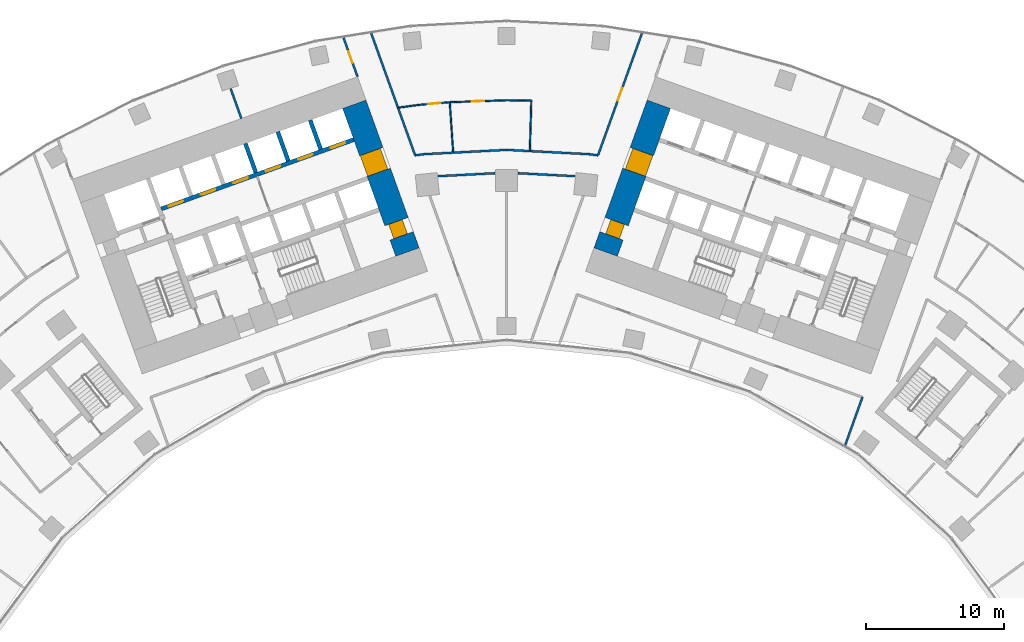
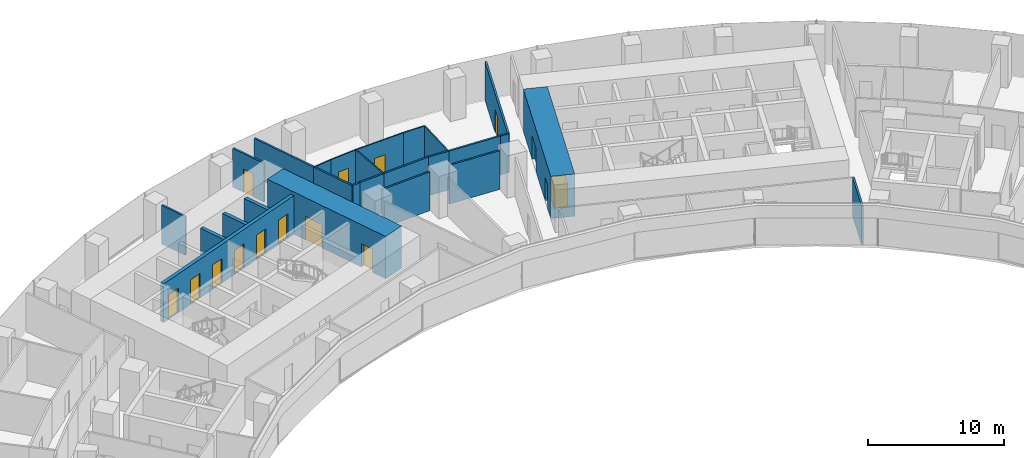
# One storey, part 16 of 21: 26 walls, 14 doors, 14 openings.
"""IFC4 building model written with IfcOpenShell, lengths in metres."""

from ifc_helpers import new_model, si_unit, direction, frame, frame_2d, origin, place, context, subcontext, project, spatial, rectangle, extrude, material, layer, layer_set, type_object, element, fill, save


model = new_model("IFC4")

# Units and contexts
model_context = context("Model", 3, precision=1e-05, world=origin(), true_north=direction((0.0, 1.0)))
body_context = subcontext(model_context, "Body", "Model", "MODEL_VIEW")
ifc_project = project(units=[si_unit("LENGTHUNIT", "METRE"), si_unit("AREAUNIT", "SQUARE_METRE"), si_unit("VOLUMEUNIT", "CUBIC_METRE"), si_unit("PLANEANGLEUNIT", "RADIAN"), si_unit("MASSUNIT", "GRAM", prefix="KILO")], contexts=[model_context])

# Site, building, storey
site_placement = place(None, origin())
site = spatial("IfcSite", under=ifc_project, at=site_placement, CompositionType="ELEMENT")
building_placement = place(site_placement, origin())
building = spatial("IfcBuilding", under=site, at=building_placement, Name="Stone Belt Terrace Tower", CompositionType="ELEMENT")
storey_placement = place(building_placement, frame((0.0, 0.0, 37.60009765625)))
storey = spatial("IfcBuildingStorey", under=building, at=storey_placement, Name="L08", CompositionType="ELEMENT", Elevation=37.60009765625)

# Wall, openings, doors
ifc_material_1 = material(Name="Concrete B80", Category="concrete")
ifc_layer_1 = layer(ifc_material_1, 1.800048828125)
ifc_layer_set_1 = layer_set([ifc_layer_1], Name="Core wall 1800 B80")
wall_type_1 = type_object("IfcWallType", Name="Core wall 1800 B80", PredefinedType="SHEAR", material=ifc_layer_set_1)
wall_1_placement = place(storey_placement, frame((-7.19091796875, 49.8076171875, 0.0), z_axis=(0.0, 0.0, 1.0), x_axis=(-0.338632255135, 0.940918804033, 0.0)))
wall_1 = element("IfcWall", 1, at=wall_1_placement, inside=storey, type_object=wall_type_1, Name="Core A wall end_b L08", PredefinedType="SHEAR", context=body_context, shape_type="SweptSolid", body=[
    extrude(rectangle(XDim=11.39990234375, YDim=1.800048828125, at=frame_2d((5.699951171875, 0.0))), origin(), (0.0, 0.0, 1.0), 3.7998046875),
])
opening_1_placement = place(wall_1_placement, frame((6.14990234375, 0.0, 0.0)))
opening_1 = element("IfcOpeningElement", 2, at=opening_1_placement, cuts=wall_1, Name="Opening L08-C04", PredefinedType="OPENING", context=body_context, shape_type="SweptSolid", body=[
    extrude(rectangle(XDim=1.60009765625, YDim=2.10009765625, at=frame_2d((0.800048828125, 1.050048828125))), frame((0.0, 0.909912109375, 0.0), z_axis=(0.0, -1.0, 0.0), x_axis=(1.0, 0.0, 0.0)), (0.0, 0.0, 1.0), 1.820068359375),
])
opening_2_placement = place(wall_1_placement, frame((1.25, 0.0, 0.0)))
opening_2 = element("IfcOpeningElement", 3, at=opening_2_placement, cuts=wall_1, Name="Opening L08-C10", PredefinedType="OPENING", context=body_context, shape_type="SweptSolid", body=[
    extrude(rectangle(XDim=1.10009765625, YDim=2.10009765625, at=frame_2d((0.550048828125, 1.050048828125))), frame((0.0, 0.909912109375, 0.0), z_axis=(0.0, -1.0, 0.0), x_axis=(1.0, 0.0, 0.0)), (0.0, 0.0, 1.0), 1.820068359375),
])
ifc_material_2 = material(Name="Timber door leaf", Category="wood")
door_type_1 = type_object("IfcDoorType", Name="Core room door 1100", OperationType="SINGLE_SWING_LEFT", PredefinedType="DOOR", material=ifc_material_2)
door_1_placement = place(opening_2_placement, origin())
door_1 = element("IfcDoor", 4, at=door_1_placement, inside=storey, type_object=door_type_1, Name="Door to Electrical riser room core A", OperationType="SINGLE_SWING_LEFT", OverallHeight=2.10009765625, OverallWidth=1.10009765625, PredefinedType="DOOR", context=body_context, shape_type="SweptSolid", body=[
    extrude(rectangle(XDim=1.10009765625, YDim=2.10009765625, at=frame_2d((0.550048828125, 1.050048828125))), frame((0.0, 0.60498046875, 0.0), z_axis=(0.0, -1.0, 0.0), x_axis=(1.0, 0.0, 0.0)), (0.0, 0.0, 1.0), 1.050048828125),
])
fill(opening_2, door_1)
ifc_material_3 = material(Name="Glazed aluminium door leaf", Category="aluminium")
door_type_2 = type_object("IfcDoorType", Name="Lift lobby entrance door 1600", OperationType="DOUBLE_DOOR_SINGLE_SWING", PredefinedType="DOOR", material=ifc_material_3)
door_2_placement = place(opening_1_placement, origin())
door_2 = element("IfcDoor", 5, at=door_2_placement, inside=storey, type_object=door_type_2, Name="Lift lobby entrance door core A", OperationType="DOUBLE_DOOR_SINGLE_SWING", OverallHeight=2.10009765625, OverallWidth=1.60009765625, PredefinedType="DOOR", context=body_context, shape_type="SweptSolid", body=[
    extrude(rectangle(XDim=1.60009765625, YDim=2.10009765625, at=frame_2d((0.800048828125, 1.050048828125))), frame((0.0, 0.85498046875, 0.0), z_axis=(0.0, -1.0, 0.0), x_axis=(1.0, 0.0, 0.0)), (0.0, 0.0, 1.0), 1.550048828125),
])
fill(opening_1, door_2)

wall_2_placement = place(storey_placement, frame((7.19091796875, 49.8076171875, 0.0), z_axis=(0.0, 0.0, 1.0), x_axis=(0.338632255135, 0.940918804033, 0.0)))
wall_2 = element("IfcWall", 6, at=wall_2_placement, inside=storey, type_object=wall_type_1, Name="Core B wall end_a L08", PredefinedType="SHEAR", context=body_context, shape_type="SweptSolid", body=[
    extrude(rectangle(XDim=11.39990234375, YDim=1.800048828125, at=frame_2d((5.699951171875, 0.0))), origin(), (0.0, 0.0, 1.0), 3.7998046875),
])
opening_3_placement = place(wall_2_placement, frame((6.14990234375, 0.0, 0.0)))
opening_3 = element("IfcOpeningElement", 7, at=opening_3_placement, cuts=wall_2, Name="Opening L08-C14", PredefinedType="OPENING", context=body_context, shape_type="SweptSolid", body=[
    extrude(rectangle(XDim=1.60009765625, YDim=2.10009765625, at=frame_2d((0.800048828125, 1.050048828125))), frame((0.0, 0.909912109375, 0.0), z_axis=(0.0, -1.0, 0.0), x_axis=(1.0, 0.0, 0.0)), (0.0, 0.0, 1.0), 1.820068359375),
])
opening_4_placement = place(wall_2_placement, frame((1.25, 0.0, 0.0)))
opening_4 = element("IfcOpeningElement", 8, at=opening_4_placement, cuts=wall_2, Name="Opening L08-C20", PredefinedType="OPENING", context=body_context, shape_type="SweptSolid", body=[
    extrude(rectangle(XDim=1.10009765625, YDim=2.10009765625, at=frame_2d((0.550048828125, 1.050048828125))), frame((0.0, 0.909912109375, 0.0), z_axis=(0.0, -1.0, 0.0), x_axis=(1.0, 0.0, 0.0)), (0.0, 0.0, 1.0), 1.820068359375),
])
door_3_placement = place(opening_4_placement, origin())
door_3 = element("IfcDoor", 9, at=door_3_placement, inside=storey, type_object=door_type_1, Name="Door to Electrical riser room core B", OperationType="SINGLE_SWING_RIGHT", OverallHeight=2.10009765625, OverallWidth=1.10009765625, PredefinedType="DOOR", context=body_context, shape_type="SweptSolid", body=[
    extrude(rectangle(XDim=1.10009765625, YDim=2.10009765625, at=frame_2d((0.550048828125, 1.050048828125))), frame((0.0, 0.44482421875, 0.0), z_axis=(0.0, -1.0, 0.0), x_axis=(1.0, 0.0, 0.0)), (0.0, 0.0, 1.0), 1.050048828125),
])
fill(opening_4, door_3)
door_4_placement = place(opening_3_placement, origin())
door_4 = element("IfcDoor", 10, at=door_4_placement, inside=storey, type_object=door_type_2, Name="Lift lobby entrance door core B", OperationType="DOUBLE_DOOR_SINGLE_SWING", OverallHeight=2.10009765625, OverallWidth=1.60009765625, PredefinedType="DOOR", context=body_context, shape_type="SweptSolid", body=[
    extrude(rectangle(XDim=1.60009765625, YDim=2.10009765625, at=frame_2d((0.800048828125, 1.050048828125))), frame((0.0, 0.69482421875, 0.0), z_axis=(0.0, -1.0, 0.0), x_axis=(1.0, 0.0, 0.0)), (0.0, 0.0, 1.0), 1.550048828125),
])
fill(opening_3, door_4)

ifc_layer_2 = layer(ifc_material_1, 0.300048828125)
ifc_layer_set_2 = layer_set([ifc_layer_2], Name="Lift shaft wall 300")
wall_type_2 = type_object("IfcWallType", Name="Lift shaft wall 300", PredefinedType="SHEAR", material=ifc_layer_set_2)
wall_3_placement = place(storey_placement, frame((-25.05810546875, 52.9423828125, 0.0), z_axis=(0.0, 0.0, 1.0), x_axis=(0.940918215764, 0.338633889685, 0.0)))
wall_3 = element("IfcWall", 11, at=wall_3_placement, inside=storey, type_object=wall_type_2, Name="Core A wall", PredefinedType="SHEAR", context=body_context, shape_type="SweptSolid", body=[
    extrude(rectangle(XDim=14.850341796875, YDim=0.300048828125, at=frame_2d((7.42529296875, 0.0))), origin(), (0.0, 0.0, 1.0), 3.47998046875),
])
opening_5_placement = place(wall_3_placement, frame((0.570068359375, 0.0, 0.0)))
opening_5 = element("IfcOpeningElement", 12, at=opening_5_placement, cuts=wall_3, Name="Opening L08-LD01", PredefinedType="OPENING", context=body_context, shape_type="SweptSolid", body=[
    extrude(rectangle(XDim=1.10009765625, YDim=2.199951171875, at=frame_2d((0.550048828125, 1.10009765625))), frame((0.0, 0.159912109375, 0.0), z_axis=(0.0, -1.0, 0.0), x_axis=(1.0, 0.0, 0.0)), (0.0, 0.0, 1.0), 0.320068359375),
])
opening_6_placement = place(wall_3_placement, frame((3.070068359375, 0.0, 0.0)))
opening_6 = element("IfcOpeningElement", 13, at=opening_6_placement, cuts=wall_3, Name="Opening L08-LD02", PredefinedType="OPENING", context=body_context, shape_type="SweptSolid", body=[
    extrude(rectangle(XDim=1.10009765625, YDim=2.199951171875, at=frame_2d((0.550048828125, 1.10009765625))), frame((0.0, 0.159912109375, 0.0), z_axis=(0.0, -1.0, 0.0), x_axis=(1.0, 0.0, 0.0)), (0.0, 0.0, 1.0), 0.320068359375),
])
opening_7_placement = place(wall_3_placement, frame((5.570068359375, 0.0, 0.0)))
opening_7 = element("IfcOpeningElement", 14, at=opening_7_placement, cuts=wall_3, Name="Opening L08-LD03", PredefinedType="OPENING", context=body_context, shape_type="SweptSolid", body=[
    extrude(rectangle(XDim=1.10009765625, YDim=2.199951171875, at=frame_2d((0.550048828125, 1.10009765625))), frame((0.0, 0.159912109375, 0.0), z_axis=(0.0, -1.0, 0.0), x_axis=(1.0, 0.0, 0.0)), (0.0, 0.0, 1.0), 0.320068359375),
])
opening_8_placement = place(wall_3_placement, frame((8.070068359375, 0.0, 0.0)))
opening_8 = element("IfcOpeningElement", 15, at=opening_8_placement, cuts=wall_3, Name="Opening L08-LD04", PredefinedType="OPENING", context=body_context, shape_type="SweptSolid", body=[
    extrude(rectangle(XDim=1.10009765625, YDim=2.199951171875, at=frame_2d((0.550048828125, 1.10009765625))), frame((0.0, 0.159912109375, 0.0), z_axis=(0.0, -1.0, 0.0), x_axis=(1.0, 0.0, 0.0)), (0.0, 0.0, 1.0), 0.320068359375),
])
opening_9_placement = place(wall_3_placement, frame((10.570068359375, 0.0, 0.0)))
opening_9 = element("IfcOpeningElement", 16, at=opening_9_placement, cuts=wall_3, Name="Opening L08-LD05", PredefinedType="OPENING", context=body_context, shape_type="SweptSolid", body=[
    extrude(rectangle(XDim=1.10009765625, YDim=2.199951171875, at=frame_2d((0.550048828125, 1.10009765625))), frame((0.0, 0.159912109375, 0.0), z_axis=(0.0, -1.0, 0.0), x_axis=(1.0, 0.0, 0.0)), (0.0, 0.0, 1.0), 0.320068359375),
])
opening_10_placement = place(wall_3_placement, frame((13.070068359375, 0.0, 0.0)))
opening_10 = element("IfcOpeningElement", 17, at=opening_10_placement, cuts=wall_3, Name="Opening L08-LD06", PredefinedType="OPENING", context=body_context, shape_type="SweptSolid", body=[
    extrude(rectangle(XDim=1.10009765625, YDim=2.199951171875, at=frame_2d((0.550048828125, 1.10009765625))), frame((0.0, 0.159912109375, 0.0), z_axis=(0.0, -1.0, 0.0), x_axis=(1.0, 0.0, 0.0)), (0.0, 0.0, 1.0), 0.320068359375),
])
ifc_material_4 = material(Name="Stainless steel door leaf", Category="steel")
door_type_3 = type_object("IfcDoorType", Name="Landing door 1100", OperationType="SLIDING_TO_LEFT", PredefinedType="DOOR", material=ifc_material_4)
door_5_placement = place(opening_5_placement, origin())
door_5 = element("IfcDoor", 18, at=door_5_placement, inside=storey, type_object=door_type_3, Name="Landing door LR1 core A", OperationType="SLIDING_TO_LEFT", OverallHeight=2.199951171875, OverallWidth=1.10009765625, PredefinedType="DOOR", context=body_context, shape_type="SweptSolid", body=[
    extrude(rectangle(XDim=1.10009765625, YDim=2.199951171875, at=frame_2d((0.550048828125, 1.10009765625))), frame((0.0, 0.02490234375, 0.0), z_axis=(0.0, -1.0, 0.0), x_axis=(1.0, 0.0, 0.0)), (0.0, 0.0, 1.0), 0.050048828125),
])
fill(opening_5, door_5)
door_6_placement = place(opening_6_placement, origin())
door_6 = element("IfcDoor", 19, at=door_6_placement, inside=storey, type_object=door_type_3, Name="Landing door LR2 core A", OperationType="SLIDING_TO_LEFT", OverallHeight=2.199951171875, OverallWidth=1.10009765625, PredefinedType="DOOR", context=body_context, shape_type="SweptSolid", body=[
    extrude(rectangle(XDim=1.10009765625, YDim=2.199951171875, at=frame_2d((0.550048828125, 1.10009765625))), frame((0.0, 0.02490234375, 0.0), z_axis=(0.0, -1.0, 0.0), x_axis=(1.0, 0.0, 0.0)), (0.0, 0.0, 1.0), 0.050048828125),
])
fill(opening_6, door_6)
door_7_placement = place(opening_7_placement, origin())
door_7 = element("IfcDoor", 20, at=door_7_placement, inside=storey, type_object=door_type_3, Name="Landing door LR3 core A", OperationType="SLIDING_TO_LEFT", OverallHeight=2.199951171875, OverallWidth=1.10009765625, PredefinedType="DOOR", context=body_context, shape_type="SweptSolid", body=[
    extrude(rectangle(XDim=1.10009765625, YDim=2.199951171875, at=frame_2d((0.550048828125, 1.10009765625))), frame((0.0, 0.02490234375, 0.0), z_axis=(0.0, -1.0, 0.0), x_axis=(1.0, 0.0, 0.0)), (0.0, 0.0, 1.0), 0.050048828125),
])
fill(opening_7, door_7)
door_8_placement = place(opening_8_placement, origin())
door_8 = element("IfcDoor", 21, at=door_8_placement, inside=storey, type_object=door_type_3, Name="Landing door LR4 core A", OperationType="SLIDING_TO_LEFT", OverallHeight=2.199951171875, OverallWidth=1.10009765625, PredefinedType="DOOR", context=body_context, shape_type="SweptSolid", body=[
    extrude(rectangle(XDim=1.10009765625, YDim=2.199951171875, at=frame_2d((0.550048828125, 1.10009765625))), frame((0.0, 0.02490234375, 0.0), z_axis=(0.0, -1.0, 0.0), x_axis=(1.0, 0.0, 0.0)), (0.0, 0.0, 1.0), 0.050048828125),
])
fill(opening_8, door_8)
door_9_placement = place(opening_9_placement, origin())
door_9 = element("IfcDoor", 22, at=door_9_placement, inside=storey, type_object=door_type_3, Name="Landing door LR5 core A", OperationType="SLIDING_TO_LEFT", OverallHeight=2.199951171875, OverallWidth=1.10009765625, PredefinedType="DOOR", context=body_context, shape_type="SweptSolid", body=[
    extrude(rectangle(XDim=1.10009765625, YDim=2.199951171875, at=frame_2d((0.550048828125, 1.10009765625))), frame((0.0, 0.02490234375, 0.0), z_axis=(0.0, -1.0, 0.0), x_axis=(1.0, 0.0, 0.0)), (0.0, 0.0, 1.0), 0.050048828125),
])
fill(opening_9, door_9)
door_10_placement = place(opening_10_placement, origin())
door_10 = element("IfcDoor", 23, at=door_10_placement, inside=storey, type_object=door_type_3, Name="Landing door LR6 core A", OperationType="SLIDING_TO_LEFT", OverallHeight=2.199951171875, OverallWidth=1.10009765625, PredefinedType="DOOR", context=body_context, shape_type="SweptSolid", body=[
    extrude(rectangle(XDim=1.10009765625, YDim=2.199951171875, at=frame_2d((0.550048828125, 1.10009765625))), frame((0.0, 0.02490234375, 0.0), z_axis=(0.0, -1.0, 0.0), x_axis=(1.0, 0.0, 0.0)), (0.0, 0.0, 1.0), 0.050048828125),
])
fill(opening_10, door_10)

# Walls
wall_4_placement = place(storey_placement, frame((-18.193115234375, 55.572509765625, 0.0), z_axis=(0.0, 0.0, 1.0), x_axis=(-0.338535034312, 0.940953787677, 0.0)))
element("IfcWall", 24, at=wall_4_placement, inside=storey, type_object=wall_type_2, Name="Core A wall", PredefinedType="SHEAR", context=body_context, shape_type="SweptSolid", body=[
    extrude(rectangle(XDim=2.25, YDim=0.300048828125, at=frame_2d((1.125, 0.0))), origin(), (0.0, 0.0, 1.0), 3.47998046875),
])
wall_5_placement = place(storey_placement, frame((-15.8408203125, 56.419189453125, 0.0), z_axis=(0.0, 0.0, 1.0), x_axis=(-0.338569601369, 0.940941350472, 0.0)))
element("IfcWall", 25, at=wall_5_placement, inside=storey, type_object=wall_type_2, Name="Core A wall", PredefinedType="SHEAR", context=body_context, shape_type="SweptSolid", body=[
    extrude(rectangle(XDim=2.249755859375, YDim=0.300048828125, at=frame_2d((1.125, 0.0))), origin(), (0.0, 0.0, 1.0), 3.47998046875),
])
wall_6_placement = place(storey_placement, frame((-13.48828125, 57.265625, 0.0), z_axis=(0.0, 0.0, 1.0), x_axis=(-0.338631098537, 0.940919220286, 0.0)))
element("IfcWall", 26, at=wall_6_placement, inside=storey, type_object=wall_type_2, Name="Core A wall", PredefinedType="SHEAR", context=body_context, shape_type="SweptSolid", body=[
    extrude(rectangle(XDim=2.250244140625, YDim=0.300048828125, at=frame_2d((1.125, 0.0))), origin(), (0.0, 0.0, 1.0), 3.47998046875),
])

# Wall, opening, door
ifc_material_5 = material(Name="Gypsum board partition")
ifc_layer_3 = layer(ifc_material_5, 0.10009765625)
ifc_layer_set_3 = layer_set([ifc_layer_3], Name="PARTITION 100")
wall_type_3 = type_object("IfcWallType", Name="PARTITION 100", PredefinedType="PARTITIONING", material=ifc_layer_set_3)
wall_7_placement = place(storey_placement, frame((-4.123046875, 60.68505859375, 0.0), z_axis=(0.0, 0.0, 1.0), x_axis=(-0.996287406796, -0.086089506093, 0.0)))
wall_7 = element("IfcWall", 27, at=wall_7_placement, inside=storey, type_object=wall_type_3, Name="L08/wall/i088", PredefinedType="PARTITIONING", context=body_context, shape_type="SweptSolid", body=[
    extrude(rectangle(XDim=2.2431640625, YDim=0.10009765625, at=frame_2d((1.12158203125, 0.0))), origin(), (0.0, 0.0, 1.0), 3.47998046875),
])
opening_11_placement = place(wall_7_placement, frame((0.671630859375, 0.0, 0.0)))
opening_11 = element("IfcOpeningElement", 28, at=opening_11_placement, cuts=wall_7, Name="Opening D-A1b-29", PredefinedType="OPENING", context=body_context, shape_type="SweptSolid", body=[
    extrude(rectangle(XDim=0.89990234375, YDim=2.10009765625, at=frame_2d((0.449951171875, 1.050048828125))), frame((0.0, 0.06005859375, 0.0), z_axis=(0.0, -1.0, 0.0), x_axis=(1.0, 0.0, 0.0)), (0.0, 0.0, 1.0), 0.1201171875),
])
door_type_4 = type_object("IfcDoorType", Name="OFFICE DOOR 900 X 2100", OperationType="NOTDEFINED", PredefinedType="DOOR", material=ifc_material_2)
door_11_placement = place(opening_11_placement, origin())
door_11 = element("IfcDoor", 29, at=door_11_placement, inside=storey, type_object=door_type_4, Name="L08/door/i29", OperationType="SINGLE_SWING_RIGHT", OverallHeight=2.10009765625, OverallWidth=0.89990234375, PredefinedType="DOOR", context=body_context, shape_type="SweptSolid", body=[
    extrude(rectangle(XDim=0.89990234375, YDim=2.10009765625, at=frame_2d((0.449951171875, 1.050048828125))), frame((0.0, 0.02490234375, 0.0), z_axis=(0.0, -1.0, 0.0), x_axis=(1.0, 0.0, 0.0)), (0.0, 0.0, 1.0), 0.050048828125),
])
fill(opening_11, door_11)

# Walls
wall_8_placement = place(storey_placement, frame((-6.35791015625, 60.491943359375, 0.0), z_axis=(0.0, 0.0, 1.0), x_axis=(-0.990874606543, -0.134786921134, 0.0)))
element("IfcWall", 30, at=wall_8_placement, inside=storey, type_object=wall_type_3, Name="L08/wall/i089", PredefinedType="PARTITIONING", context=body_context, shape_type="SweptSolid", body=[
    extrude(rectangle(XDim=1.535888671875, YDim=0.10009765625, at=frame_2d((0.76806640625, 0.0))), origin(), (0.0, 0.0, 1.0), 3.47998046875),
])
wall_9_placement = place(storey_placement, frame((1.68896484375, 57.136962890625, 0.0), z_axis=(0.0, 0.0, 1.0), x_axis=(0.029528329362, 0.99956394381, 0.0)))
element("IfcWall", 31, at=wall_9_placement, inside=storey, type_object=wall_type_3, Name="L08/wall/i090", PredefinedType="PARTITIONING", context=body_context, shape_type="SweptSolid", body=[
    extrude(rectangle(XDim=3.662841796875, YDim=0.10009765625, at=frame_2d((1.83154296875, 0.0))), origin(), (0.0, 0.0, 1.0), 3.47998046875),
])
wall_10_placement = place(storey_placement, frame((1.797119140625, 60.798095703125, 0.0), z_axis=(0.0, 0.0, 1.0), x_axis=(-0.999888362781, 0.014941953526, 0.0)))
element("IfcWall", 32, at=wall_10_placement, inside=storey, type_object=wall_type_3, Name="L08/wall/i091", PredefinedType="PARTITIONING", context=body_context, shape_type="SweptSolid", body=[
    extrude(rectangle(XDim=1.79736328125, YDim=0.10009765625, at=frame_2d((0.898681640625, 0.0))), origin(), (0.0, 0.0, 1.0), 3.47998046875),
])

# Wall, opening, door
wall_11_placement = place(storey_placement, frame((0.0, 60.824951171875, 0.0), z_axis=(0.0, 0.0, 1.0), x_axis=(-0.999424893821, -0.03390990432, 0.0)))
wall_11 = element("IfcWall", 33, at=wall_11_placement, inside=storey, type_object=wall_type_3, Name="L08/wall/i092", PredefinedType="PARTITIONING", context=body_context, shape_type="SweptSolid", body=[
    extrude(rectangle(XDim=4.12548828125, YDim=0.10009765625, at=frame_2d((2.062744140625, 0.0))), origin(), (0.0, 0.0, 1.0), 3.47998046875),
])
opening_12_placement = place(wall_11_placement, frame((1.61279296875, 0.0, 0.0)))
opening_12 = element("IfcOpeningElement", 34, at=opening_12_placement, cuts=wall_11, Name="Opening D-A1b-30", PredefinedType="OPENING", context=body_context, shape_type="SweptSolid", body=[
    extrude(rectangle(XDim=0.89990234375, YDim=2.10009765625, at=frame_2d((0.449951171875, 1.050048828125))), frame((0.0, 0.06005859375, 0.0), z_axis=(0.0, -1.0, 0.0), x_axis=(1.0, 0.0, 0.0)), (0.0, 0.0, 1.0), 0.1201171875),
])
door_12_placement = place(opening_12_placement, origin())
door_12 = element("IfcDoor", 35, at=door_12_placement, inside=storey, type_object=door_type_4, Name="L08/door/i30", OperationType="SINGLE_SWING_RIGHT", OverallHeight=2.10009765625, OverallWidth=0.89990234375, PredefinedType="DOOR", context=body_context, shape_type="SweptSolid", body=[
    extrude(rectangle(XDim=0.89990234375, YDim=2.10009765625, at=frame_2d((0.449951171875, 1.050048828125))), frame((0.0, 0.02490234375, 0.0), z_axis=(0.0, -1.0, 0.0), x_axis=(1.0, 0.0, 0.0)), (0.0, 0.0, 1.0), 0.050048828125),
])
fill(opening_12, door_12)

# Wall
wall_12_placement = place(storey_placement, frame((-4.123046875, 60.68505859375, 0.0), z_axis=(0.0, 0.0, 1.0), x_axis=(0.067825323617, -0.99769721132, 0.0)))
element("IfcWall", 36, at=wall_12_placement, inside=storey, type_object=wall_type_3, Name="L08/wall/i093", PredefinedType="PARTITIONING", context=body_context, shape_type="SweptSolid", body=[
    extrude(rectangle(XDim=3.671630859375, YDim=0.10009765625, at=frame_2d((1.8359375, 0.0))), origin(), (0.0, 0.0, 1.0), 3.47998046875),
])

# Wall, opening, door
ifc_layer_4 = layer(ifc_material_5, 0.14990234375)
ifc_layer_set_4 = layer_set([ifc_layer_4], Name="PARTITION 150 EI 60")
wall_type_4 = type_object("IfcWallType", Name="PARTITION 150 EI 60", PredefinedType="PARTITIONING", material=ifc_layer_set_4)
wall_13_placement = place(storey_placement, frame((-10.81396484375, 62.531982421875, 0.0), z_axis=(0.0, 0.0, 1.0), x_axis=(-0.338526810165, 0.940956746508, 0.0)))
wall_13 = element("IfcWall", 37, at=wall_13_placement, inside=storey, type_object=wall_type_4, Name="L08/wall/i008", PredefinedType="PARTITIONING", context=body_context, shape_type="SweptSolid", body=[
    extrude(rectangle(XDim=3.006591796875, YDim=0.14990234375, at=frame_2d((1.50341796875, 0.0))), origin(), (0.0, 0.0, 1.0), 3.47998046875),
])
opening_13_placement = place(wall_13_placement, frame((1.05322265625, 0.0, 0.0)))
opening_13 = element("IfcOpeningElement", 38, at=opening_13_placement, cuts=wall_13, Name="Opening D-A1b-04", PredefinedType="OPENING", context=body_context, shape_type="SweptSolid", body=[
    extrude(rectangle(XDim=0.89990234375, YDim=2.10009765625, at=frame_2d((0.449951171875, 1.050048828125))), frame((0.0, 0.0849609375, 0.0), z_axis=(0.0, -1.0, 0.0), x_axis=(1.0, 0.0, 0.0)), (0.0, 0.0, 1.0), 0.169921875),
])
door_13_placement = place(opening_13_placement, origin())
door_13 = element("IfcDoor", 39, at=door_13_placement, inside=storey, type_object=door_type_4, Name="L08/door/i04", OperationType="SINGLE_SWING_RIGHT", OverallHeight=2.10009765625, OverallWidth=0.89990234375, PredefinedType="DOOR", context=body_context, shape_type="SweptSolid", body=[
    extrude(rectangle(XDim=0.89990234375, YDim=2.10009765625, at=frame_2d((0.449951171875, 1.050048828125))), frame((0.0, 0.02490234375, 0.0), z_axis=(0.0, -1.0, 0.0), x_axis=(1.0, 0.0, 0.0)), (0.0, 0.0, 1.0), 0.050048828125),
])
fill(opening_13, door_13)

# Walls
wall_14_placement = place(storey_placement, frame((-9.8212890625, 65.68115234375, 0.0), z_axis=(0.0, 0.0, 1.0), x_axis=(0.338654718981, -0.940910719097, 0.0)))
element("IfcWall", 40, at=wall_14_placement, inside=storey, type_object=wall_type_4, Name="L08/wall/i010", PredefinedType="PARTITIONING", context=body_context, shape_type="SweptSolid", body=[
    extrude(rectangle(XDim=5.741455078125, YDim=0.14990234375, at=frame_2d((2.87060546875, 0.0))), origin(), (0.0, 0.0, 1.0), 3.47998046875),
])
wall_15_placement = place(storey_placement, frame((-7.881103515625, 60.291015625, 0.0), z_axis=(0.0, 0.0, 1.0), x_axis=(0.338379307306, -0.941009800367, 0.0)))
element("IfcWall", 41, at=wall_15_placement, inside=storey, type_object=wall_type_4, Name="L08/wall/i011", PredefinedType="PARTITIONING", context=body_context, shape_type="SweptSolid", body=[
    extrude(rectangle(XDim=3.685302734375, YDim=0.14990234375, at=frame_2d((1.8427734375, 0.0))), origin(), (0.0, 0.0, 1.0), 3.47998046875),
])
wall_16_placement = place(storey_placement, frame((-20.022216796875, 61.664794921875, 0.0), z_axis=(0.0, 0.0, 1.0), x_axis=(0.338572980458, -0.940940134601, 0.0)))
element("IfcWall", 42, at=wall_16_placement, inside=storey, type_object=wall_type_4, Name="L08/wall/i015", PredefinedType="PARTITIONING", context=body_context, shape_type="SweptSolid", body=[
    extrude(rectangle(XDim=2.3017578125, YDim=0.14990234375, at=frame_2d((1.15087890625, 0.0))), origin(), (0.0, 0.0, 1.0), 3.47998046875),
])

# Wall, opening, door
wall_17_placement = place(storey_placement, frame((6.634033203125, 56.822998046875, 0.0), z_axis=(0.0, 0.0, 1.0), x_axis=(0.338561511742, 0.940944261243, 0.0)))
wall_17 = element("IfcWall", 43, at=wall_17_placement, inside=storey, type_object=wall_type_4, Name="L08/wall/i019", PredefinedType="PARTITIONING", context=body_context, shape_type="SweptSolid", body=[
    extrude(rectangle(XDim=9.4140625, YDim=0.14990234375, at=frame_2d((4.70703125, 0.0))), origin(), (0.0, 0.0, 1.0), 3.47998046875),
])
opening_14_placement = place(wall_17_placement, frame((4.20703125, 0.0, 0.0)))
opening_14 = element("IfcOpeningElement", 44, at=opening_14_placement, cuts=wall_17, Name="Opening D-A1b-28", PredefinedType="OPENING", context=body_context, shape_type="SweptSolid", body=[
    extrude(rectangle(XDim=1.0, YDim=2.10009765625, at=frame_2d((0.5, 1.050048828125))), frame((0.0, 0.0849609375, 0.0), z_axis=(0.0, -1.0, 0.0), x_axis=(1.0, 0.0, 0.0)), (0.0, 0.0, 1.0), 0.169921875),
])
ifc_material_6 = material(Name="Timber fire door leaf", Category="wood")
door_type_5 = type_object("IfcDoorType", Name="TENANCY ENTRANCE DOOR 1000 X 2100", OperationType="NOTDEFINED", PredefinedType="DOOR", material=ifc_material_6)
door_14_placement = place(opening_14_placement, origin())
door_14 = element("IfcDoor", 45, at=door_14_placement, inside=storey, type_object=door_type_5, Name="L08/door/i28", OperationType="SINGLE_SWING_RIGHT", OverallHeight=2.10009765625, OverallWidth=1.0, PredefinedType="DOOR", context=body_context, shape_type="SweptSolid", body=[
    extrude(rectangle(XDim=1.0, YDim=2.10009765625, at=frame_2d((0.5, 1.050048828125))), frame((0.0, 0.02490234375, 0.0), z_axis=(0.0, -1.0, 0.0), x_axis=(1.0, 0.0, 0.0)), (0.0, 0.0, 1.0), 0.050048828125),
])
fill(opening_14, door_14)

# Walls
wall_18_placement = place(storey_placement, frame((24.56494140625, 35.771728515625, 0.0), z_axis=(0.0, 0.0, 1.0), x_axis=(0.338392582605, 0.941005026574, 0.0)))
element("IfcWall", 46, at=wall_18_placement, inside=storey, type_object=wall_type_4, Name="L08/wall/i020", PredefinedType="PARTITIONING", context=body_context, shape_type="SweptSolid", body=[
    extrude(rectangle(XDim=3.729248046875, YDim=0.14990234375, at=frame_2d((1.86474609375, 0.0))), origin(), (0.0, 0.0, 1.0), 3.47998046875),
])
for number, where, z_axis, x_axis, name in (
    (47, (-0.830078125, 55.531494140625, 0.0), (0.0, 0.0, 1.0), (-0.998634659291, -0.052238082501, 0.0), "L08/wall/i079"),
    (48, (4.979248046875, 55.314453125, 0.0), (0.0, 0.0, 1.0), (-0.998634659291, 0.052238082501, 0.0), "L08/wall/i080"),
):
    element("IfcWall", number, at=place(storey_placement, frame(where, z_axis=z_axis, x_axis=x_axis)), inside=storey, type_object=wall_type_4, Name=name, PredefinedType="PARTITIONING", context=body_context, shape_type="SweptSolid", body=[
        extrude(rectangle(XDim=4.15478515625, YDim=0.14990234375, at=frame_2d((2.077392578125, 0.0))), origin(), (0.0, 0.0, 1.0), 3.47998046875),
    ])
wall_19_placement = place(storey_placement, frame((1.68310546875, 57.136962890625, 0.0), z_axis=(0.0, 0.0, 1.0), x_axis=(0.99863485374, -0.052234365078, 0.0)))
element("IfcWall", 49, at=wall_19_placement, inside=storey, type_object=wall_type_4, Name="L08/wall/i081", PredefinedType="PARTITIONING", context=body_context, shape_type="SweptSolid", body=[
    extrude(rectangle(XDim=4.3046875, YDim=0.14990234375, at=frame_2d((2.15234375, 0.0))), origin(), (0.0, 0.0, 1.0), 3.47998046875),
])
for number, where, z_axis, x_axis, name in (
    (50, (5.98193359375, 56.912109375, 0.0), (0.0, 0.0, 1.0), (0.992042541351, -0.125903122083, 0.0), "L08/wall/i082"),
    (51, (-6.635986328125, 56.8291015625, 0.0), (0.0, 0.0, 1.0), (0.992042541351, 0.125903122083, 0.0), "L08/wall/i083"),
):
    element("IfcWall", number, at=place(storey_placement, frame(where, z_axis=z_axis, x_axis=x_axis)), inside=storey, type_object=wall_type_4, Name=name, PredefinedType="PARTITIONING", context=body_context, shape_type="SweptSolid", body=[
        extrude(rectangle(XDim=0.6591796875, YDim=0.14990234375, at=frame_2d((0.32958984375, 0.0))), origin(), (0.0, 0.0, 1.0), 3.47998046875),
    ])
wall_20_placement = place(storey_placement, frame((-5.98193359375, 56.912109375, 0.0), z_axis=(0.0, 0.0, 1.0), x_axis=(0.998628322713, 0.052359078244, 0.0)))
element("IfcWall", 52, at=wall_20_placement, inside=storey, type_object=wall_type_4, Name="L08/wall/i084", PredefinedType="PARTITIONING", context=body_context, shape_type="SweptSolid", body=[
    extrude(rectangle(XDim=2.116943359375, YDim=0.14990234375, at=frame_2d((1.05859375, 0.0))), origin(), (0.0, 0.0, 1.0), 3.47998046875),
])
wall_21_placement = place(storey_placement, frame((-3.8798828125, 57.02197265625, 0.0), z_axis=(0.0, 0.0, 1.0), x_axis=(0.998632372254, 0.052281785409, 0.0)))
element("IfcWall", 53, at=wall_21_placement, inside=storey, type_object=wall_type_4, Name="L08/wall/i085", PredefinedType="PARTITIONING", context=body_context, shape_type="SweptSolid", body=[
    extrude(rectangle(XDim=3.88525390625, YDim=0.14990234375, at=frame_2d((1.942626953125, 0.0))), origin(), (0.0, 0.0, 1.0), 3.47998046875),
])
wall_22_placement = place(storey_placement, frame((0.0, 57.22509765625, 0.0), z_axis=(0.0, 0.0, 1.0), x_axis=(0.9986210061, -0.052498439756, 0.0)))
element("IfcWall", 54, at=wall_22_placement, inside=storey, type_object=wall_type_4, Name="L08/wall/i086", PredefinedType="PARTITIONING", context=body_context, shape_type="SweptSolid", body=[
    extrude(rectangle(XDim=1.697509765625, YDim=0.14990234375, at=frame_2d((0.8486328125, 0.0))), origin(), (0.0, 0.0, 1.0), 3.47998046875),
])

save(model, "model.ifc")
